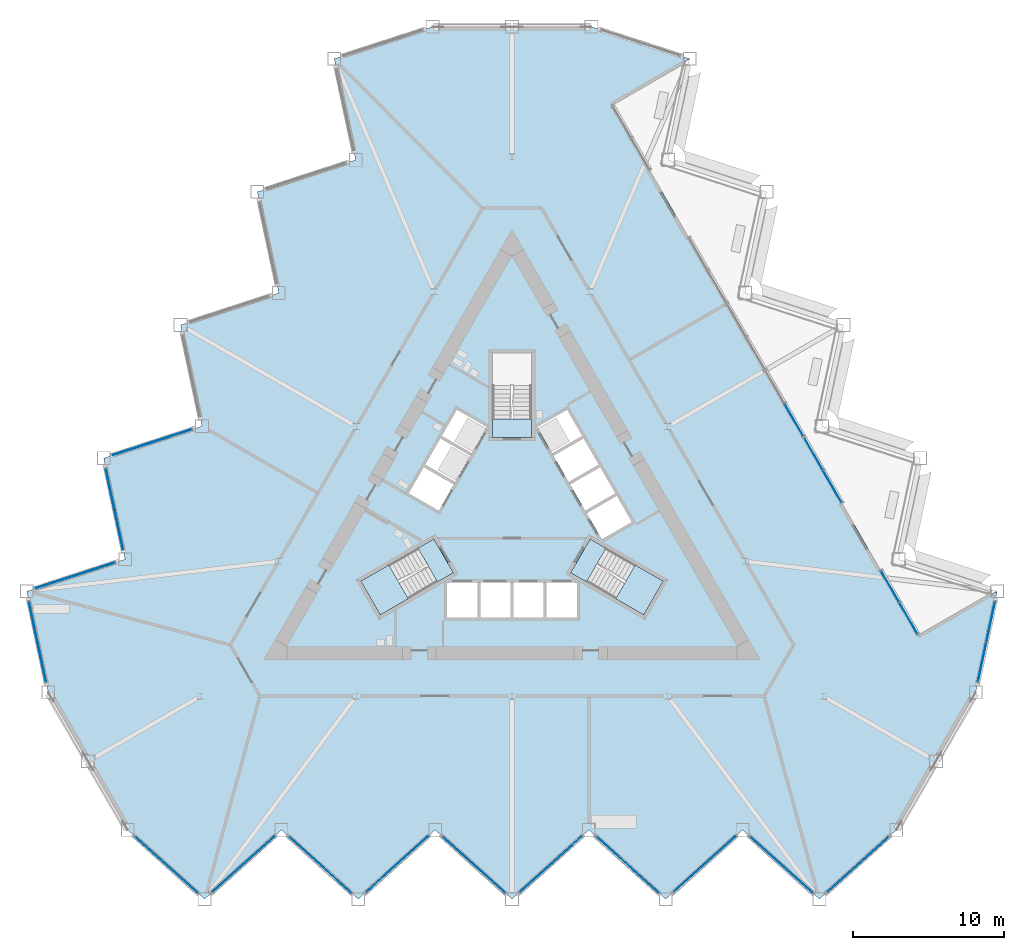
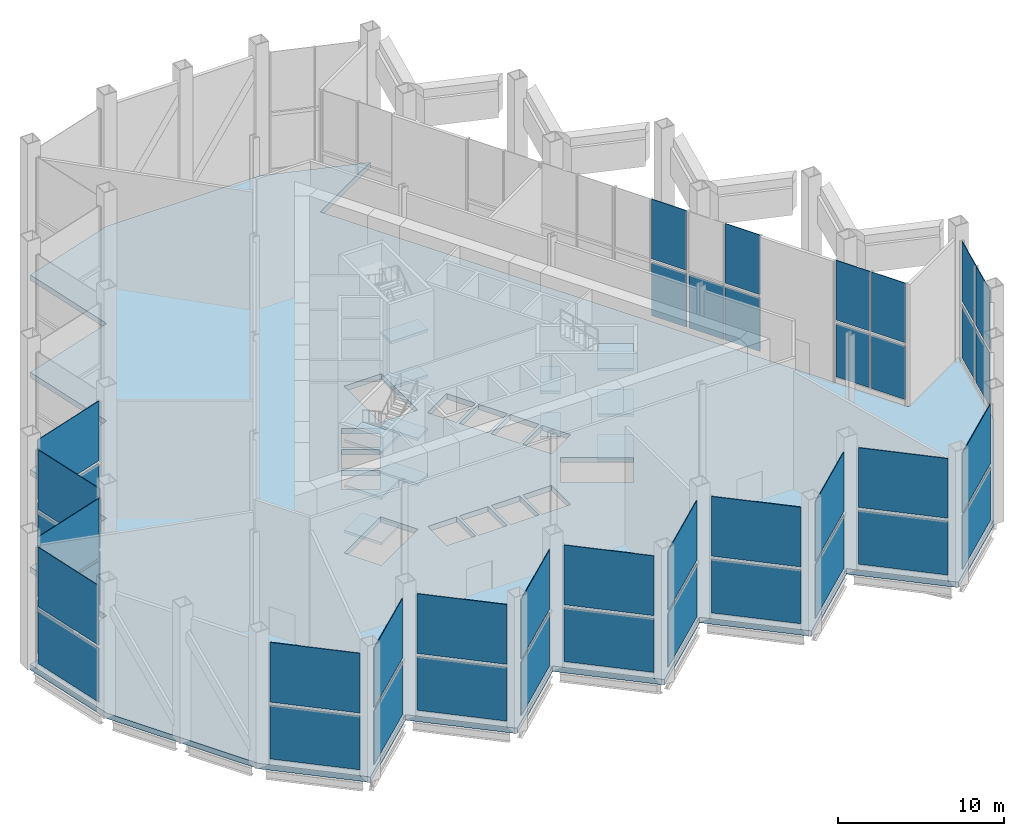
# One storey, part 7 of 18: 41 plates, 13 slabs, 9 elements without a shape of their own.
"""IFC4 building model written with IfcOpenShell, lengths in metres."""

from ifc_helpers import new_model, si_unit, direction, frame, origin, origin_2d, place, context, subcontext, project, spatial, polyline, rectangle, outline, extrude, material, layer, layer_set, type_object, element, aggregate, save


model = new_model("IFC4")

# Units and contexts
model_context = context("Model", 3, precision=1e-05, world=origin(), true_north=direction((0.0, 1.0)))
body_context = subcontext(model_context, "Body", "Model", "MODEL_VIEW")
ifc_project = project(units=[si_unit("LENGTHUNIT", "METRE"), si_unit("AREAUNIT", "SQUARE_METRE"), si_unit("VOLUMEUNIT", "CUBIC_METRE"), si_unit("PLANEANGLEUNIT", "RADIAN"), si_unit("MASSUNIT", "GRAM", prefix="KILO")], contexts=[model_context])

# Site, building, storey
site_placement = place(None, origin())
site = spatial("IfcSite", under=ifc_project, at=site_placement, CompositionType="ELEMENT")
building_placement = place(site_placement, origin())
building = spatial("IfcBuilding", under=site, at=building_placement, Name="Cormorant Prow Tower", CompositionType="ELEMENT")
storey_placement = place(building_placement, frame((0.0, 0.0, 154.199951171875)))
storey = spatial("IfcBuildingStorey", under=building, at=storey_placement, Name="L33", CompositionType="ELEMENT", Elevation=154.199951171875)

# Slab
ifc_material_1 = material(Name="Concrete C40/50", Category="concrete")
ifc_layer_1 = layer(ifc_material_1, 0.39990234375)
ifc_layer_set_1 = layer_set([ifc_layer_1], Name="Concrete C40/50")
slab_type_1 = type_object("IfcSlabType", Name="Post-tensioned flat slab 400", PredefinedType="FLOOR", material=ifc_layer_set_1)
slab_1_placement = place(storey_placement, frame((0.0, 0.0, -0.39990234375)))
element("IfcSlab", 1, at=slab_1_placement, inside=storey, type_object=slab_type_1, Name="Floor slab L33", PredefinedType="FLOOR", context=body_context, shape_type="SweptSolid", body=[
    extrude(outline(polyline([(-30.769287109375, -11.679931640625), (-28.134521484375, -16.243408203125), (-25.499755859375, -20.80712890625), (-20.399658203125, -25.399169921875), (-15.2998046875, -20.80712890625), (-10.199951171875, -25.399169921875), (-5.099853515625, -20.80712890625), (0.0, -25.399169921875), (5.099853515625, -20.80712890625), (10.199951171875, -25.399169921875), (15.2998046875, -20.80712890625), (20.399658203125, -25.399169921875), (25.499755859375, -20.80712890625), (28.134521484375, -16.243408203125), (30.769287109375, -11.679931640625), (32.1962890625, -4.967041015625), (27.0, -7.967041015625), (6.600341796875, 27.3662109375), (11.79638671875, 30.3662109375), (5.269775390625, 32.487060546875), (0.0, 32.487060546875), (-5.269775390625, 32.487060546875), (-11.79638671875, 30.3662109375), (-10.36962890625, 23.653564453125), (-16.896240234375, 21.532958984375), (-15.469482421875, 14.8203125), (-21.996337890625, 12.699462890625), (-20.569580078125, 5.98681640625), (-27.09619140625, 3.8662109375), (-25.66943359375, -2.846435546875), (-32.1962890625, -4.967041015625), (-30.769287109375, -11.679931640625)]), holes=[polyline([(-4.300048828125, -4.39990234375), (-2.300048828125, -4.39990234375), (-2.300048828125, -6.699951171875), (-4.300048828125, -6.699951171875), (-4.300048828125, -4.39990234375)]), polyline([(-0.10009765625, -4.39990234375), (-0.10009765625, -6.699951171875), (-2.10009765625, -6.699951171875), (-2.10009765625, -4.39990234375), (-0.10009765625, -4.39990234375)]), polyline([(2.10009765625, -6.699951171875), (0.10009765625, -6.699951171875), (0.10009765625, -4.39990234375), (2.10009765625, -4.39990234375), (2.10009765625, -6.699951171875)]), polyline([(2.300048828125, -6.699951171875), (2.300048828125, -4.39990234375), (4.300048828125, -4.39990234375), (4.300048828125, -6.699951171875), (2.300048828125, -6.699951171875)]), polyline([(5.96044921875, -1.52392578125), (4.96044921875, 0.2080078125), (6.952392578125, 1.358154296875), (7.952392578125, -0.373779296875), (5.96044921875, -1.52392578125)]), polyline([(3.860595703125, 2.11328125), (5.852294921875, 3.263427734375), (6.852294921875, 1.53125), (4.860595703125, 0.38134765625), (3.860595703125, 2.11328125)]), polyline([(4.75244140625, 5.168701171875), (5.75244140625, 3.4365234375), (3.760498046875, 2.28662109375), (2.760498046875, 4.018798828125), (4.75244140625, 5.168701171875)]), polyline([(4.65234375, 5.341796875), (2.660400390625, 4.19189453125), (1.660400390625, 5.923828125), (3.65234375, 7.073974609375), (4.65234375, 5.341796875)]), polyline([(-1.660400390625, 5.923828125), (-2.660400390625, 4.19189453125), (-4.65234375, 5.341796875), (-3.65234375, 7.073974609375), (-1.660400390625, 5.923828125)]), polyline([(-3.760498046875, 2.28662109375), (-5.75244140625, 3.4365234375), (-4.75244140625, 5.168701171875), (-2.760498046875, 4.018798828125), (-3.760498046875, 2.28662109375)]), polyline([(-6.852294921875, 1.53125), (-5.852294921875, 3.263427734375), (-3.860595703125, 2.11328125), (-4.860595703125, 0.38134765625), (-6.852294921875, 1.53125)]), polyline([(-4.947509765625, -4.3505859375), (-8.738037109375, -6.5390625), (-10.031982421875, -4.2978515625), (-6.241455078125, -2.109375), (-4.947509765625, -4.3505859375)]), polyline([(10.031982421875, -4.2978515625), (8.738037109375, -6.5390625), (4.947509765625, -4.3505859375), (6.241455078125, -2.109375), (10.031982421875, -4.2978515625)]), polyline([(1.2939453125, 10.8369140625), (1.2939453125, 6.459716796875), (-1.2939453125, 6.459716796875), (-1.2939453125, 10.8369140625), (1.2939453125, 10.8369140625)])]), origin(), (0.0, 0.0, 1.0), 0.39990234375),
])

# Curtain wall, plates
ifc_material_2 = material(Name="Aluminium 6063-T6", Category="aluminium")
ifc_layer_2 = layer(ifc_material_2, 0.300048828125)
ifc_layer_set_2 = layer_set([ifc_layer_2], Name="Aluminium 6063-T6")
curtain_wall_type = type_object("IfcCurtainWallType", Name="Sky lobby unitised curtain wall 300", PredefinedType="NOTDEFINED", material=ifc_layer_set_2)
curtain_wall_1_placement = place(storey_placement, origin())
curtain_wall_1 = element("IfcCurtainWall", 2, at=curtain_wall_1_placement, inside=storey, type_object=curtain_wall_type, Name="Sky lobby curtain wall S00-S09", PredefinedType="NOTDEFINED")
ifc_material_3 = material(Name="Clear glass", Category="glass")
ifc_layer_3 = layer(ifc_material_3, 0.0439453125)
ifc_layer_set_3 = layer_set([ifc_layer_3], Name="Clear glass")
plate_type = type_object("IfcPlateType", Name="Sky lobby glass panel 44", PredefinedType="CURTAIN_PANEL", material=ifc_layer_set_3)
plate_1_placement = place(storey_placement, frame((-22.919921875, -23.1298828125, 0.4501953125), z_axis=(0.0, 0.0, 1.0), x_axis=(0.743144811043, -0.66913062239, 0.0)))
plate_1 = element("IfcPlate", 3, at=plate_1_placement, type_object=plate_type, Name="Sky lobby glass panel S00-S09", PredefinedType="CURTAIN_PANEL", context=body_context, shape_type="SweptSolid", body=[
    extrude(rectangle(XDim=5.5107421875, YDim=0.0439453125, at=origin_2d()), origin(), (0.0, 0.0, 1.0), 3.92431640625),
])
plate_2_placement = place(storey_placement, frame((-22.919921875, -23.1298828125, 4.614501953125), z_axis=(0.0, 0.0, 1.0), x_axis=(0.743144811043, -0.66913062239, 0.0)))
plate_2 = element("IfcPlate", 4, at=plate_2_placement, type_object=plate_type, Name="Sky lobby glass panel S00-S09", PredefinedType="CURTAIN_PANEL", context=body_context, shape_type="SweptSolid", body=[
    extrude(rectangle(XDim=5.5107421875, YDim=0.0439453125, at=origin_2d()), origin(), (0.0, 0.0, 1.0), 4.37451171875),
])
plate_3_placement = place(storey_placement, frame((-17.820068359375, -23.076416015625, 0.4501953125), z_axis=(0.0, 0.0, 1.0), x_axis=(0.743144811043, 0.66913062239, 0.0)))
plate_3 = element("IfcPlate", 5, at=plate_3_placement, type_object=plate_type, Name="Sky lobby glass panel S00-S09", PredefinedType="CURTAIN_PANEL", context=body_context, shape_type="SweptSolid", body=[
    extrude(rectangle(XDim=5.5107421875, YDim=0.0439453125, at=origin_2d()), origin(), (0.0, 0.0, 1.0), 3.92431640625),
])
plate_4_placement = place(storey_placement, frame((-17.820068359375, -23.076416015625, 4.614501953125), z_axis=(0.0, 0.0, 1.0), x_axis=(0.743144811043, 0.66913062239, 0.0)))
plate_4 = element("IfcPlate", 6, at=plate_4_placement, type_object=plate_type, Name="Sky lobby glass panel S00-S09", PredefinedType="CURTAIN_PANEL", context=body_context, shape_type="SweptSolid", body=[
    extrude(rectangle(XDim=5.5107421875, YDim=0.0439453125, at=origin_2d()), origin(), (0.0, 0.0, 1.0), 4.37451171875),
])
plate_5_placement = place(storey_placement, frame((-12.72021484375, -23.1298828125, 0.4501953125), z_axis=(0.0, 0.0, 1.0), x_axis=(0.743144811043, -0.66913062239, 0.0)))
plate_5 = element("IfcPlate", 7, at=plate_5_placement, type_object=plate_type, Name="Sky lobby glass panel S00-S09", PredefinedType="CURTAIN_PANEL", context=body_context, shape_type="SweptSolid", body=[
    extrude(rectangle(XDim=5.5107421875, YDim=0.0439453125, at=origin_2d()), origin(), (0.0, 0.0, 1.0), 3.92431640625),
])
plate_6_placement = place(storey_placement, frame((-12.72021484375, -23.1298828125, 4.614501953125), z_axis=(0.0, 0.0, 1.0), x_axis=(0.743144811043, -0.66913062239, 0.0)))
plate_6 = element("IfcPlate", 8, at=plate_6_placement, type_object=plate_type, Name="Sky lobby glass panel S00-S09", PredefinedType="CURTAIN_PANEL", context=body_context, shape_type="SweptSolid", body=[
    extrude(rectangle(XDim=5.5107421875, YDim=0.0439453125, at=origin_2d()), origin(), (0.0, 0.0, 1.0), 4.37451171875),
])
plate_7_placement = place(storey_placement, frame((-7.6201171875, -23.076416015625, 0.4501953125), z_axis=(0.0, 0.0, 1.0), x_axis=(0.743144811043, 0.66913062239, 0.0)))
plate_7 = element("IfcPlate", 9, at=plate_7_placement, type_object=plate_type, Name="Sky lobby glass panel S00-S09", PredefinedType="CURTAIN_PANEL", context=body_context, shape_type="SweptSolid", body=[
    extrude(rectangle(XDim=5.5107421875, YDim=0.0439453125, at=origin_2d()), origin(), (0.0, 0.0, 1.0), 3.92431640625),
])
plate_8_placement = place(storey_placement, frame((-7.6201171875, -23.076416015625, 4.614501953125), z_axis=(0.0, 0.0, 1.0), x_axis=(0.743144811043, 0.66913062239, 0.0)))
plate_8 = element("IfcPlate", 10, at=plate_8_placement, type_object=plate_type, Name="Sky lobby glass panel S00-S09", PredefinedType="CURTAIN_PANEL", context=body_context, shape_type="SweptSolid", body=[
    extrude(rectangle(XDim=5.5107421875, YDim=0.0439453125, at=origin_2d()), origin(), (0.0, 0.0, 1.0), 4.37451171875),
])
plate_9_placement = place(storey_placement, frame((-2.520263671875, -23.1298828125, 0.4501953125), z_axis=(0.0, 0.0, 1.0), x_axis=(0.743144811043, -0.66913062239, 0.0)))
plate_9 = element("IfcPlate", 11, at=plate_9_placement, type_object=plate_type, Name="Sky lobby glass panel S00-S09", PredefinedType="CURTAIN_PANEL", context=body_context, shape_type="SweptSolid", body=[
    extrude(rectangle(XDim=5.5107421875, YDim=0.0439453125, at=origin_2d()), origin(), (0.0, 0.0, 1.0), 3.92431640625),
])
plate_10_placement = place(storey_placement, frame((-2.520263671875, -23.1298828125, 4.614501953125), z_axis=(0.0, 0.0, 1.0), x_axis=(0.743144811043, -0.66913062239, 0.0)))
plate_10 = element("IfcPlate", 12, at=plate_10_placement, type_object=plate_type, Name="Sky lobby glass panel S00-S09", PredefinedType="CURTAIN_PANEL", context=body_context, shape_type="SweptSolid", body=[
    extrude(rectangle(XDim=5.5107421875, YDim=0.0439453125, at=origin_2d()), origin(), (0.0, 0.0, 1.0), 4.37451171875),
])
plate_11_placement = place(storey_placement, frame((2.57958984375, -23.076416015625, 0.4501953125), z_axis=(0.0, 0.0, 1.0), x_axis=(0.743144811043, 0.66913062239, 0.0)))
plate_11 = element("IfcPlate", 13, at=plate_11_placement, type_object=plate_type, Name="Sky lobby glass panel S00-S09", PredefinedType="CURTAIN_PANEL", context=body_context, shape_type="SweptSolid", body=[
    extrude(rectangle(XDim=5.5107421875, YDim=0.0439453125, at=origin_2d()), origin(), (0.0, 0.0, 1.0), 3.92431640625),
])
plate_12_placement = place(storey_placement, frame((2.57958984375, -23.076416015625, 4.614501953125), z_axis=(0.0, 0.0, 1.0), x_axis=(0.743144811043, 0.66913062239, 0.0)))
plate_12 = element("IfcPlate", 14, at=plate_12_placement, type_object=plate_type, Name="Sky lobby glass panel S00-S09", PredefinedType="CURTAIN_PANEL", context=body_context, shape_type="SweptSolid", body=[
    extrude(rectangle(XDim=5.5107421875, YDim=0.0439453125, at=origin_2d()), origin(), (0.0, 0.0, 1.0), 4.37451171875),
])
plate_13_placement = place(storey_placement, frame((7.6796875, -23.1298828125, 0.4501953125), z_axis=(0.0, 0.0, 1.0), x_axis=(0.743144811043, -0.66913062239, 0.0)))
plate_13 = element("IfcPlate", 15, at=plate_13_placement, type_object=plate_type, Name="Sky lobby glass panel S00-S09", PredefinedType="CURTAIN_PANEL", context=body_context, shape_type="SweptSolid", body=[
    extrude(rectangle(XDim=5.5107421875, YDim=0.0439453125, at=origin_2d()), origin(), (0.0, 0.0, 1.0), 3.92431640625),
])
plate_14_placement = place(storey_placement, frame((7.6796875, -23.1298828125, 4.614501953125), z_axis=(0.0, 0.0, 1.0), x_axis=(0.743144811043, -0.66913062239, 0.0)))
plate_14 = element("IfcPlate", 16, at=plate_14_placement, type_object=plate_type, Name="Sky lobby glass panel S00-S09", PredefinedType="CURTAIN_PANEL", context=body_context, shape_type="SweptSolid", body=[
    extrude(rectangle(XDim=5.5107421875, YDim=0.0439453125, at=origin_2d()), origin(), (0.0, 0.0, 1.0), 4.37451171875),
])
plate_15_placement = place(storey_placement, frame((12.779541015625, -23.076416015625, 0.4501953125), z_axis=(0.0, 0.0, 1.0), x_axis=(0.743144811043, 0.66913062239, 0.0)))
plate_15 = element("IfcPlate", 17, at=plate_15_placement, type_object=plate_type, Name="Sky lobby glass panel S00-S09", PredefinedType="CURTAIN_PANEL", context=body_context, shape_type="SweptSolid", body=[
    extrude(rectangle(XDim=5.5107421875, YDim=0.0439453125, at=origin_2d()), origin(), (0.0, 0.0, 1.0), 3.92431640625),
])
plate_16_placement = place(storey_placement, frame((12.779541015625, -23.076416015625, 4.614501953125), z_axis=(0.0, 0.0, 1.0), x_axis=(0.743144811043, 0.66913062239, 0.0)))
plate_16 = element("IfcPlate", 18, at=plate_16_placement, type_object=plate_type, Name="Sky lobby glass panel S00-S09", PredefinedType="CURTAIN_PANEL", context=body_context, shape_type="SweptSolid", body=[
    extrude(rectangle(XDim=5.5107421875, YDim=0.0439453125, at=origin_2d()), origin(), (0.0, 0.0, 1.0), 4.37451171875),
])
plate_17_placement = place(storey_placement, frame((17.87939453125, -23.1298828125, 0.4501953125), z_axis=(0.0, 0.0, 1.0), x_axis=(0.743144811043, -0.66913062239, 0.0)))
plate_17 = element("IfcPlate", 19, at=plate_17_placement, type_object=plate_type, Name="Sky lobby glass panel S00-S09", PredefinedType="CURTAIN_PANEL", context=body_context, shape_type="SweptSolid", body=[
    extrude(rectangle(XDim=5.5107421875, YDim=0.0439453125, at=origin_2d()), origin(), (0.0, 0.0, 1.0), 3.92431640625),
])
plate_18_placement = place(storey_placement, frame((17.87939453125, -23.1298828125, 4.614501953125), z_axis=(0.0, 0.0, 1.0), x_axis=(0.743144811043, -0.66913062239, 0.0)))
plate_18 = element("IfcPlate", 20, at=plate_18_placement, type_object=plate_type, Name="Sky lobby glass panel S00-S09", PredefinedType="CURTAIN_PANEL", context=body_context, shape_type="SweptSolid", body=[
    extrude(rectangle(XDim=5.5107421875, YDim=0.0439453125, at=origin_2d()), origin(), (0.0, 0.0, 1.0), 4.37451171875),
])
plate_19_placement = place(storey_placement, frame((22.94970703125, -23.10302734375, 0.4501953125), z_axis=(0.0, 0.0, 1.0), x_axis=(0.743144811043, 0.66913062239, 0.0)))
plate_19 = element("IfcPlate", 21, at=plate_19_placement, type_object=plate_type, Name="Sky lobby glass panel S00-S09", PredefinedType="CURTAIN_PANEL", context=body_context, shape_type="SweptSolid", body=[
    extrude(rectangle(XDim=5.4306640625, YDim=0.0439453125, at=origin_2d()), origin(), (0.0, 0.0, 1.0), 3.92431640625),
])
plate_20_placement = place(storey_placement, frame((22.94970703125, -23.10302734375, 4.614501953125), z_axis=(0.0, 0.0, 1.0), x_axis=(0.743144811043, 0.66913062239, 0.0)))
plate_20 = element("IfcPlate", 22, at=plate_20_placement, type_object=plate_type, Name="Sky lobby glass panel S00-S09", PredefinedType="CURTAIN_PANEL", context=body_context, shape_type="SweptSolid", body=[
    extrude(rectangle(XDim=5.4306640625, YDim=0.0439453125, at=origin_2d()), origin(), (0.0, 0.0, 1.0), 4.37451171875),
])
aggregate(curtain_wall_1, [plate_1, plate_2, plate_3, plate_4, plate_5, plate_6, plate_7, plate_8, plate_9, plate_10, plate_11, plate_12, plate_13, plate_14, plate_15, plate_16, plate_17, plate_18, plate_19, plate_20])

curtain_wall_2_placement = place(storey_placement, origin())
curtain_wall_2 = element("IfcCurtainWall", 23, at=curtain_wall_2_placement, inside=storey, type_object=curtain_wall_type, Name="Sky lobby curtain wall ENE00", PredefinedType="NOTDEFINED")
plate_21_placement = place(storey_placement, frame((31.1962890625, -9.671142578125, 0.4501953125), z_axis=(0.0, 0.0, 1.0), x_axis=(0.207911695308, 0.978147599779, 0.0)))
plate_21 = element("IfcPlate", 24, at=plate_21_placement, type_object=plate_type, Name="Sky lobby glass panel ENE00", PredefinedType="CURTAIN_PANEL", context=body_context, shape_type="SweptSolid", body=[
    extrude(rectangle(XDim=2.67529296875, YDim=0.0439453125, at=origin_2d()), origin(), (0.0, 0.0, 1.0), 3.92431640625),
])
plate_22_placement = place(storey_placement, frame((31.769287109375, -6.975830078125, 0.4501953125), z_axis=(0.0, 0.0, 1.0), x_axis=(0.207911695308, 0.978147599779, 0.0)))
plate_22 = element("IfcPlate", 25, at=plate_22_placement, type_object=plate_type, Name="Sky lobby glass panel ENE00", PredefinedType="CURTAIN_PANEL", context=body_context, shape_type="SweptSolid", body=[
    extrude(rectangle(XDim=2.67529296875, YDim=0.0439453125, at=origin_2d()), origin(), (0.0, 0.0, 1.0), 3.92431640625),
])
plate_23_placement = place(storey_placement, frame((31.1962890625, -9.671142578125, 4.614501953125), z_axis=(0.0, 0.0, 1.0), x_axis=(0.207911695308, 0.978147599779, 0.0)))
plate_23 = element("IfcPlate", 26, at=plate_23_placement, type_object=plate_type, Name="Sky lobby glass panel ENE00", PredefinedType="CURTAIN_PANEL", context=body_context, shape_type="SweptSolid", body=[
    extrude(rectangle(XDim=2.67529296875, YDim=0.0439453125, at=origin_2d()), origin(), (0.0, 0.0, 1.0), 4.37451171875),
])
plate_24_placement = place(storey_placement, frame((31.769287109375, -6.975830078125, 4.614501953125), z_axis=(0.0, 0.0, 1.0), x_axis=(0.207911695308, 0.978147599779, 0.0)))
plate_24 = element("IfcPlate", 27, at=plate_24_placement, type_object=plate_type, Name="Sky lobby glass panel ENE00", PredefinedType="CURTAIN_PANEL", context=body_context, shape_type="SweptSolid", body=[
    extrude(rectangle(XDim=2.67529296875, YDim=0.0439453125, at=origin_2d()), origin(), (0.0, 0.0, 1.0), 4.37451171875),
])
aggregate(curtain_wall_2, [plate_21, plate_22, plate_23, plate_24])

curtain_wall_3_placement = place(storey_placement, origin())
curtain_wall_3 = element("IfcCurtainWall", 28, at=curtain_wall_3_placement, inside=storey, type_object=curtain_wall_type, Name="Sky lobby curtain wall WNW00-WNW09", PredefinedType="NOTDEFINED")
plate_25_placement = place(storey_placement, frame((-23.870849609375, 4.914306640625, 0.4501953125), z_axis=(0.0, 0.0, 1.0), x_axis=(-0.951056496016, -0.309017056787, 0.0)))
plate_25 = element("IfcPlate", 29, at=plate_25_placement, type_object=plate_type, Name="Sky lobby glass panel WNW00-WNW09", PredefinedType="CURTAIN_PANEL", context=body_context, shape_type="SweptSolid", body=[
    extrude(rectangle(XDim=5.5107421875, YDim=0.0439453125, at=origin_2d()), origin(), (0.0, 0.0, 1.0), 3.92431640625),
])
plate_26_placement = place(storey_placement, frame((-23.870849609375, 4.914306640625, 4.614501953125), z_axis=(0.0, 0.0, 1.0), x_axis=(-0.951056496016, -0.309017056787, 0.0)))
plate_26 = element("IfcPlate", 30, at=plate_26_placement, type_object=plate_type, Name="Sky lobby glass panel WNW00-WNW09", PredefinedType="CURTAIN_PANEL", context=body_context, shape_type="SweptSolid", body=[
    extrude(rectangle(XDim=5.5107421875, YDim=0.0439453125, at=origin_2d()), origin(), (0.0, 0.0, 1.0), 4.37451171875),
])
plate_27_placement = place(storey_placement, frame((-26.37451171875, 0.470703125, 0.4501953125), z_axis=(0.0, 0.0, 1.0), x_axis=(0.207911724944, -0.97814759348, 0.0)))
plate_27 = element("IfcPlate", 31, at=plate_27_placement, type_object=plate_type, Name="Sky lobby glass panel WNW00-WNW09", PredefinedType="CURTAIN_PANEL", context=body_context, shape_type="SweptSolid", body=[
    extrude(rectangle(XDim=5.5107421875, YDim=0.0439453125, at=origin_2d()), origin(), (0.0, 0.0, 1.0), 3.92431640625),
])
plate_28_placement = place(storey_placement, frame((-26.37451171875, 0.470703125, 4.614501953125), z_axis=(0.0, 0.0, 1.0), x_axis=(0.207911724944, -0.97814759348, 0.0)))
plate_28 = element("IfcPlate", 32, at=plate_28_placement, type_object=plate_type, Name="Sky lobby glass panel WNW00-WNW09", PredefinedType="CURTAIN_PANEL", context=body_context, shape_type="SweptSolid", body=[
    extrude(rectangle(XDim=5.5107421875, YDim=0.0439453125, at=origin_2d()), origin(), (0.0, 0.0, 1.0), 4.37451171875),
])
plate_29_placement = place(storey_placement, frame((-28.970947265625, -3.919189453125, 0.4501953125), z_axis=(0.0, 0.0, 1.0), x_axis=(-0.951056538839, -0.309016924991, 0.0)))
plate_29 = element("IfcPlate", 33, at=plate_29_placement, type_object=plate_type, Name="Sky lobby glass panel WNW00-WNW09", PredefinedType="CURTAIN_PANEL", context=body_context, shape_type="SweptSolid", body=[
    extrude(rectangle(XDim=5.5107421875, YDim=0.0439453125, at=origin_2d()), origin(), (0.0, 0.0, 1.0), 3.92431640625),
])
plate_30_placement = place(storey_placement, frame((-28.970947265625, -3.919189453125, 4.614501953125), z_axis=(0.0, 0.0, 1.0), x_axis=(-0.951056538839, -0.309016924991, 0.0)))
plate_30 = element("IfcPlate", 34, at=plate_30_placement, type_object=plate_type, Name="Sky lobby glass panel WNW00-WNW09", PredefinedType="CURTAIN_PANEL", context=body_context, shape_type="SweptSolid", body=[
    extrude(rectangle(XDim=5.5107421875, YDim=0.0439453125, at=origin_2d()), origin(), (0.0, 0.0, 1.0), 4.37451171875),
])
plate_31_placement = place(storey_placement, frame((-31.482666015625, -8.323486328125, 0.4501953125), z_axis=(0.0, 0.0, 1.0), x_axis=(0.207911695308, -0.978147599779, 0.0)))
plate_31 = element("IfcPlate", 35, at=plate_31_placement, type_object=plate_type, Name="Sky lobby glass panel WNW00-WNW09", PredefinedType="CURTAIN_PANEL", context=body_context, shape_type="SweptSolid", body=[
    extrude(rectangle(XDim=5.4306640625, YDim=0.0439453125, at=origin_2d()), origin(), (0.0, 0.0, 1.0), 3.92431640625),
])
plate_32_placement = place(storey_placement, frame((-31.482666015625, -8.323486328125, 4.614501953125), z_axis=(0.0, 0.0, 1.0), x_axis=(0.207911695308, -0.978147599779, 0.0)))
plate_32 = element("IfcPlate", 36, at=plate_32_placement, type_object=plate_type, Name="Sky lobby glass panel WNW00-WNW09", PredefinedType="CURTAIN_PANEL", context=body_context, shape_type="SweptSolid", body=[
    extrude(rectangle(XDim=5.4306640625, YDim=0.0439453125, at=origin_2d()), origin(), (0.0, 0.0, 1.0), 4.37451171875),
])
aggregate(curtain_wall_3, [plate_25, plate_26, plate_27, plate_28, plate_29, plate_30, plate_31, plate_32])

curtain_wall_4_placement = place(storey_placement, origin())
curtain_wall_4 = element("IfcCurtainWall", 37, at=curtain_wall_4_placement, inside=storey, type_object=curtain_wall_type, Name="Sky lobby curtain wall loggia ENE01", PredefinedType="NOTDEFINED")
plate_33_placement = place(storey_placement, frame((26.311279296875, -6.774169921875, 0.4501953125), z_axis=(0.0, 0.0, 1.0), x_axis=(-0.499999988603, 0.866025410364, 0.0)))
plate_33 = element("IfcPlate", 38, at=plate_33_placement, type_object=plate_type, Name="Sky lobby glass panel loggia ENE01", PredefinedType="CURTAIN_PANEL", context=body_context, shape_type="SweptSolid", body=[
    extrude(rectangle(XDim=2.375, YDim=0.0439453125, at=origin_2d()), origin(), (0.0, 0.0, 1.0), 3.92431640625),
])
plate_34_placement = place(storey_placement, frame((25.083740234375, -4.648193359375, 0.4501953125), z_axis=(0.0, 0.0, 1.0), x_axis=(-0.499999988603, 0.866025410364, 0.0)))
plate_34 = element("IfcPlate", 39, at=plate_34_placement, type_object=plate_type, Name="Sky lobby glass panel loggia ENE01", PredefinedType="CURTAIN_PANEL", context=body_context, shape_type="SweptSolid", body=[
    extrude(rectangle(XDim=2.375, YDim=0.0439453125, at=origin_2d()), origin(), (0.0, 0.0, 1.0), 3.92431640625),
])
plate_35_placement = place(storey_placement, frame((26.311279296875, -6.774169921875, 4.614501953125), z_axis=(0.0, 0.0, 1.0), x_axis=(-0.499999988603, 0.866025410364, 0.0)))
plate_35 = element("IfcPlate", 40, at=plate_35_placement, type_object=plate_type, Name="Sky lobby glass panel loggia ENE01", PredefinedType="CURTAIN_PANEL", context=body_context, shape_type="SweptSolid", body=[
    extrude(rectangle(XDim=2.375, YDim=0.0439453125, at=origin_2d()), origin(), (0.0, 0.0, 1.0), 4.37451171875),
])
plate_36_placement = place(storey_placement, frame((25.083740234375, -4.648193359375, 4.614501953125), z_axis=(0.0, 0.0, 1.0), x_axis=(-0.499999988603, 0.866025410364, 0.0)))
plate_36 = element("IfcPlate", 41, at=plate_36_placement, type_object=plate_type, Name="Sky lobby glass panel loggia ENE01", PredefinedType="CURTAIN_PANEL", context=body_context, shape_type="SweptSolid", body=[
    extrude(rectangle(XDim=2.375, YDim=0.0439453125, at=origin_2d()), origin(), (0.0, 0.0, 1.0), 4.37451171875),
])
aggregate(curtain_wall_4, [plate_33, plate_34, plate_35, plate_36])

curtain_wall_5_placement = place(storey_placement, origin())
curtain_wall_5 = element("IfcCurtainWall", 42, at=curtain_wall_5_placement, inside=storey, type_object=curtain_wall_type, Name="Sky lobby curtain wall loggia ENE03", PredefinedType="NOTDEFINED")
plate_37_placement = place(storey_placement, frame((21.252685546875, 1.98779296875, 0.4501953125), z_axis=(0.0, 0.0, 1.0), x_axis=(-0.499999988603, 0.866025410364, 0.0)))
plate_37 = element("IfcPlate", 43, at=plate_37_placement, type_object=plate_type, Name="Sky lobby glass panel loggia ENE03", PredefinedType="CURTAIN_PANEL", context=body_context, shape_type="SweptSolid", body=[
    extrude(rectangle(XDim=2.429931640625, YDim=0.0439453125, at=origin_2d()), origin(), (0.0, 0.0, 1.0), 3.92431640625),
])
plate_38_placement = place(storey_placement, frame((19.99755859375, 4.161376953125, 0.4501953125), z_axis=(0.0, 0.0, 1.0), x_axis=(-0.499999988603, 0.866025410364, 0.0)))
plate_38 = element("IfcPlate", 44, at=plate_38_placement, type_object=plate_type, Name="Sky lobby glass panel loggia ENE03", PredefinedType="CURTAIN_PANEL", context=body_context, shape_type="SweptSolid", body=[
    extrude(rectangle(XDim=2.429931640625, YDim=0.0439453125, at=origin_2d()), origin(), (0.0, 0.0, 1.0), 3.92431640625),
])
plate_39_placement = place(storey_placement, frame((21.252685546875, 1.98779296875, 4.614501953125), z_axis=(0.0, 0.0, 1.0), x_axis=(-0.499999988603, 0.866025410364, 0.0)))
plate_39 = element("IfcPlate", 45, at=plate_39_placement, type_object=plate_type, Name="Sky lobby glass panel loggia ENE03", PredefinedType="CURTAIN_PANEL", context=body_context, shape_type="SweptSolid", body=[
    extrude(rectangle(XDim=2.429931640625, YDim=0.0439453125, at=origin_2d()), origin(), (0.0, 0.0, 1.0), 4.37451171875),
])
aggregate(curtain_wall_5, [plate_37, plate_38, plate_39])

curtain_wall_6_placement = place(storey_placement, origin())
curtain_wall_6 = element("IfcCurtainWall", 46, at=curtain_wall_6_placement, inside=storey, type_object=curtain_wall_type, Name="Sky lobby curtain wall loggia ENE04", PredefinedType="NOTDEFINED")
plate_40_placement = place(storey_placement, frame((18.70263671875, 6.404296875, 0.4501953125), z_axis=(0.0, 0.0, 1.0), x_axis=(-0.499999988603, 0.866025410364, 0.0)))
plate_40 = element("IfcPlate", 47, at=plate_40_placement, type_object=plate_type, Name="Sky lobby glass panel loggia ENE04", PredefinedType="CURTAIN_PANEL", context=body_context, shape_type="SweptSolid", body=[
    extrude(rectangle(XDim=2.429931640625, YDim=0.0439453125, at=origin_2d()), origin(), (0.0, 0.0, 1.0), 3.92431640625),
])
plate_41_placement = place(storey_placement, frame((18.70263671875, 6.404296875, 4.614501953125), z_axis=(0.0, 0.0, 1.0), x_axis=(-0.499999988603, 0.866025410364, 0.0)))
plate_41 = element("IfcPlate", 48, at=plate_41_placement, type_object=plate_type, Name="Sky lobby glass panel loggia ENE04", PredefinedType="CURTAIN_PANEL", context=body_context, shape_type="SweptSolid", body=[
    extrude(rectangle(XDim=2.429931640625, YDim=0.0439453125, at=origin_2d()), origin(), (0.0, 0.0, 1.0), 4.37451171875),
])
aggregate(curtain_wall_6, [plate_40, plate_41])

# Stair, slabs
ifc_material_4 = material(Name="Exit stair 54 risers")
stair_type = type_object("IfcStairType", Name="Exit stair 54 risers", PredefinedType="HALF_TURN_STAIR", material=ifc_material_4)
stair_1_placement = place(storey_placement, origin())
stair_1 = element("IfcStair", 49, at=stair_1_placement, inside=storey, type_object=stair_type, Name="L33 Exit stair ST1", PredefinedType="HALF_TURN_STAIR")
ifc_material_5 = material(Name="Concrete 5000 psi", Category="concrete")
ifc_layer_4 = layer(ifc_material_5, 0.199951171875)
ifc_layer_set_4 = layer_set([ifc_layer_4], Name="Concrete 5000 psi")
slab_type_2 = type_object("IfcSlabType", Name="Stair landing 200", PredefinedType="LANDING", material=ifc_layer_set_4)
slab_2_placement = place(storey_placement, frame((0.0, 0.0, 1.466796875)))
slab_2 = element("IfcSlab", 50, at=slab_2_placement, type_object=slab_type_2, Name="ST1 landing 1", PredefinedType="LANDING", context=body_context, shape_type="SweptSolid", body=[
    extrude(outline(polyline([(-8.17431640625, -3.225341796875), (-10.031982421875, -4.2978515625), (-8.738037109375, -6.5390625), (-6.88037109375, -5.466552734375), (-8.17431640625, -3.225341796875)])), origin(), (0.0, 0.0, 1.0), 0.199951171875),
])
slab_3_placement = place(storey_placement, frame((0.0, 0.0, 3.13330078125)))
slab_3 = element("IfcSlab", 51, at=slab_3_placement, type_object=slab_type_2, Name="ST1 landing 2", PredefinedType="LANDING", context=body_context, shape_type="SweptSolid", body=[
    extrude(outline(polyline([(-5.18212890625, -1.497802734375), (-6.241455078125, -2.109375), (-4.947265625, -4.3505859375), (-3.88818359375, -3.739013671875), (-5.18212890625, -1.497802734375)])), origin(), (0.0, 0.0, 1.0), 0.2001953125),
])
slab_4_placement = place(storey_placement, frame((0.0, 0.0, 4.800048828125)))
slab_4 = element("IfcSlab", 52, at=slab_4_placement, type_object=slab_type_2, Name="ST1 landing 3", PredefinedType="LANDING", context=body_context, shape_type="SweptSolid", body=[
    extrude(outline(polyline([(-8.17431640625, -3.225341796875), (-10.031982421875, -4.2978515625), (-8.738037109375, -6.5390625), (-6.88037109375, -5.466552734375), (-8.17431640625, -3.225341796875)])), origin(), (0.0, 0.0, 1.0), 0.199951171875),
])
slab_5_placement = place(storey_placement, frame((0.0, 0.0, 6.466796875)))
slab_5 = element("IfcSlab", 53, at=slab_5_placement, type_object=slab_type_2, Name="ST1 landing 4", PredefinedType="LANDING", context=body_context, shape_type="SweptSolid", body=[
    extrude(outline(polyline([(-5.18212890625, -1.497802734375), (-6.241455078125, -2.109375), (-4.947265625, -4.3505859375), (-3.88818359375, -3.739013671875), (-5.18212890625, -1.497802734375)])), origin(), (0.0, 0.0, 1.0), 0.199951171875),
])
slab_6_placement = place(storey_placement, frame((0.0, 0.0, 8.13330078125)))
slab_6 = element("IfcSlab", 54, at=slab_6_placement, type_object=slab_type_2, Name="ST1 landing 5", PredefinedType="LANDING", context=body_context, shape_type="SweptSolid", body=[
    extrude(outline(polyline([(-8.17431640625, -3.225341796875), (-10.031982421875, -4.2978515625), (-8.738037109375, -6.5390625), (-6.88037109375, -5.466552734375), (-8.17431640625, -3.225341796875)])), origin(), (0.0, 0.0, 1.0), 0.2001953125),
])
aggregate(stair_1, [slab_2, slab_3, slab_4, slab_5, slab_6])

stair_2_placement = place(storey_placement, origin())
stair_2 = element("IfcStair", 55, at=stair_2_placement, inside=storey, type_object=stair_type, Name="L33 Exit stair ST2", PredefinedType="HALF_TURN_STAIR")
slab_7_placement = place(storey_placement, frame((0.0, 0.0, 1.466796875)))
slab_7 = element("IfcSlab", 56, at=slab_7_placement, type_object=slab_type_2, Name="ST2 landing 1", PredefinedType="LANDING", context=body_context, shape_type="SweptSolid", body=[
    extrude(outline(polyline([(6.88037109375, -5.466552734375), (8.738037109375, -6.5390625), (10.031982421875, -4.2978515625), (8.17431640625, -3.225341796875), (6.88037109375, -5.466552734375)])), origin(), (0.0, 0.0, 1.0), 0.199951171875),
])
slab_8_placement = place(storey_placement, frame((0.0, 0.0, 3.13330078125)))
slab_8 = element("IfcSlab", 57, at=slab_8_placement, type_object=slab_type_2, Name="ST2 landing 2", PredefinedType="LANDING", context=body_context, shape_type="SweptSolid", body=[
    extrude(outline(polyline([(3.88818359375, -3.739013671875), (4.947265625, -4.3505859375), (6.241455078125, -2.109375), (5.18212890625, -1.497802734375), (3.88818359375, -3.739013671875)])), origin(), (0.0, 0.0, 1.0), 0.2001953125),
])
slab_9_placement = place(storey_placement, frame((0.0, 0.0, 4.800048828125)))
slab_9 = element("IfcSlab", 58, at=slab_9_placement, type_object=slab_type_2, Name="ST2 landing 3", PredefinedType="LANDING", context=body_context, shape_type="SweptSolid", body=[
    extrude(outline(polyline([(6.88037109375, -5.466552734375), (8.738037109375, -6.5390625), (10.031982421875, -4.2978515625), (8.17431640625, -3.225341796875), (6.88037109375, -5.466552734375)])), origin(), (0.0, 0.0, 1.0), 0.199951171875),
])
slab_10_placement = place(storey_placement, frame((0.0, 0.0, 6.466796875)))
slab_10 = element("IfcSlab", 59, at=slab_10_placement, type_object=slab_type_2, Name="ST2 landing 4", PredefinedType="LANDING", context=body_context, shape_type="SweptSolid", body=[
    extrude(outline(polyline([(3.88818359375, -3.739013671875), (4.947265625, -4.3505859375), (6.241455078125, -2.109375), (5.18212890625, -1.497802734375), (3.88818359375, -3.739013671875)])), origin(), (0.0, 0.0, 1.0), 0.199951171875),
])
slab_11_placement = place(storey_placement, frame((0.0, 0.0, 8.13330078125)))
slab_11 = element("IfcSlab", 60, at=slab_11_placement, type_object=slab_type_2, Name="ST2 landing 5", PredefinedType="LANDING", context=body_context, shape_type="SweptSolid", body=[
    extrude(outline(polyline([(6.88037109375, -5.466552734375), (8.738037109375, -6.5390625), (10.031982421875, -4.2978515625), (8.17431640625, -3.225341796875), (6.88037109375, -5.466552734375)])), origin(), (0.0, 0.0, 1.0), 0.2001953125),
])
aggregate(stair_2, [slab_7, slab_8, slab_9, slab_10, slab_11])

stair_3_placement = place(storey_placement, origin())
stair_3 = element("IfcStair", 61, at=stair_3_placement, inside=storey, type_object=stair_type, Name="L33 Exit stair ST3", PredefinedType="HALF_TURN_STAIR")
slab_12_placement = place(storey_placement, frame((0.0, 0.0, 3.13330078125)))
slab_12 = element("IfcSlab", 62, at=slab_12_placement, type_object=slab_type_2, Name="ST3 landing 2", PredefinedType="LANDING", context=body_context, shape_type="SweptSolid", body=[
    extrude(outline(polyline([(1.2939453125, 5.23681640625), (1.2939453125, 6.459716796875), (-1.2939453125, 6.459716796875), (-1.2939453125, 5.23681640625), (1.2939453125, 5.23681640625)])), origin(), (0.0, 0.0, 1.0), 0.2001953125),
])
slab_13_placement = place(storey_placement, frame((0.0, 0.0, 6.466796875)))
slab_13 = element("IfcSlab", 63, at=slab_13_placement, type_object=slab_type_2, Name="ST3 landing 4", PredefinedType="LANDING", context=body_context, shape_type="SweptSolid", body=[
    extrude(outline(polyline([(1.2939453125, 5.23681640625), (1.2939453125, 6.459716796875), (-1.2939453125, 6.459716796875), (-1.2939453125, 5.23681640625), (1.2939453125, 5.23681640625)])), origin(), (0.0, 0.0, 1.0), 0.199951171875),
])
aggregate(stair_3, [slab_12, slab_13])

save(model, "model.ifc")
